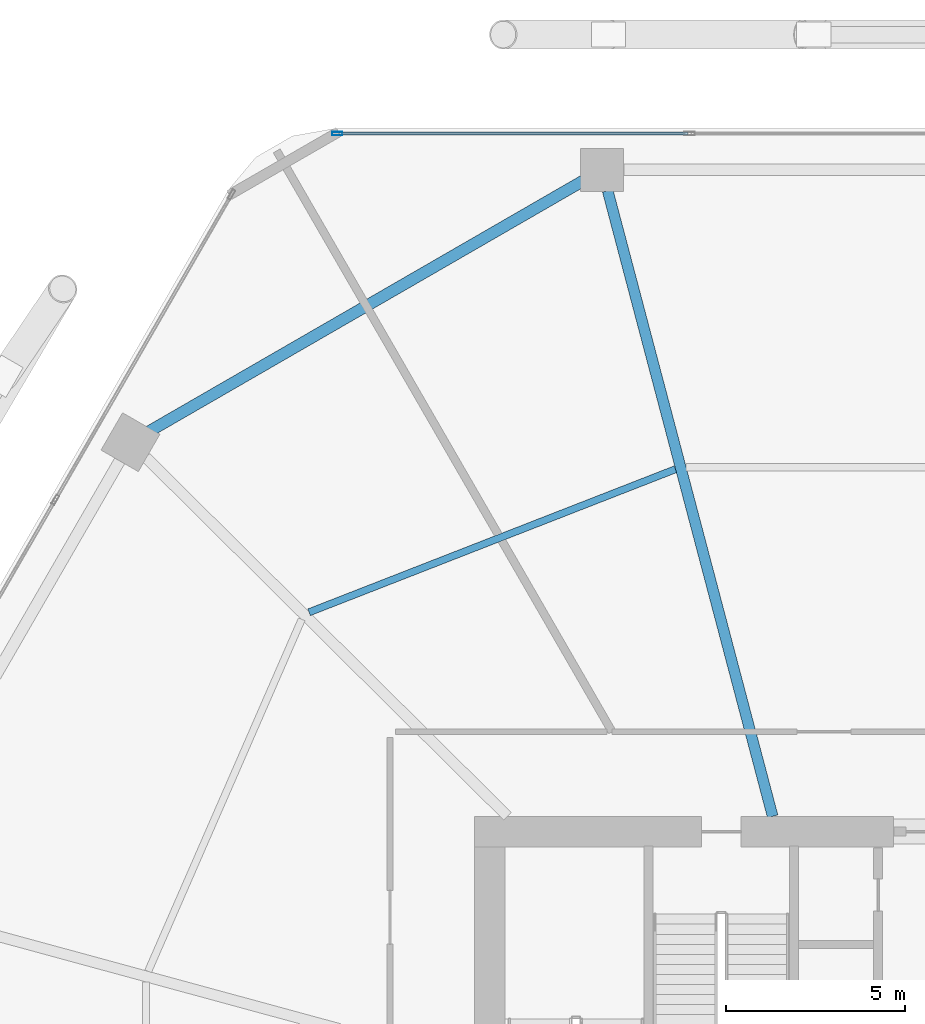
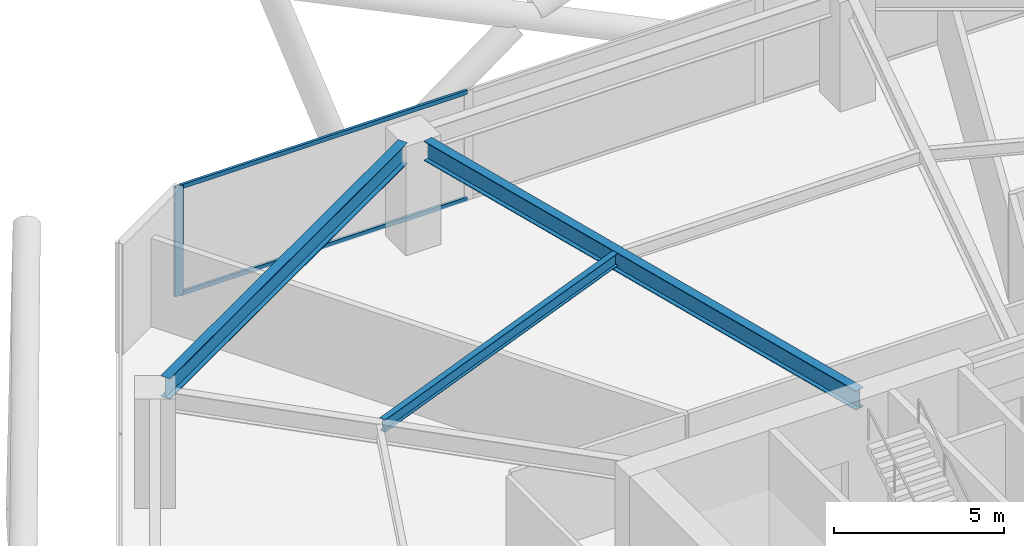
# One storey, part 16 of 28: 3 beams, 3 members, 1 element without a shape of its own.
"""IFC4 building model written with IfcOpenShell, lengths in metres."""

from ifc_helpers import new_model, si_unit, direction, frame, origin, origin_2d, place, context, subcontext, project, spatial, hollow_rectangle, i_section, extrude, material, material_profile, profile_set, type_object, element, aggregate, save


model = new_model("IFC4")

# Units and contexts
model_context = context("Model", 3, precision=1e-05, world=origin(), true_north=direction((0.0, 1.0)))
body_context = subcontext(model_context, "Body", "Model", "MODEL_VIEW")
ifc_project = project(units=[si_unit("LENGTHUNIT", "METRE"), si_unit("AREAUNIT", "SQUARE_METRE"), si_unit("VOLUMEUNIT", "CUBIC_METRE"), si_unit("PLANEANGLEUNIT", "RADIAN"), si_unit("MASSUNIT", "GRAM", prefix="KILO")], contexts=[model_context])

# Site, building, storey
site_placement = place(None, origin())
site = spatial("IfcSite", under=ifc_project, at=site_placement, CompositionType="ELEMENT")
building_placement = place(site_placement, origin())
building = spatial("IfcBuilding", under=site, at=building_placement, Name="Zuhravey Tower", CompositionType="ELEMENT")
storey_placement = place(building_placement, frame((0.0, 0.0, 66.60009765625)))
storey = spatial("IfcBuildingStorey", under=building, at=storey_placement, Name="L16", CompositionType="ELEMENT", Elevation=66.60009765625)

# Curtain wall, members
ifc_material_1 = material(Name="Thermally broken anodised aluminium", Category="aluminium")
curtain_wall_type = type_object("IfcCurtainWallType", Name="School Low-E Unitised Curtain Wall CW1", PredefinedType="NOTDEFINED", material=ifc_material_1)
curtain_wall_placement = place(storey_placement, origin())
curtain_wall = element("IfcCurtainWall", 1, at=curtain_wall_placement, inside=storey, type_object=curtain_wall_type, Name="L16 CW1 CW-L16-F2-1", PredefinedType="NOTDEFINED")
ifc_material_2 = material(Name="Anodised aluminium", Category="aluminium")
ifc_material_profile_1 = material_profile(ifc_material_2, hollow_rectangle(XDim=0.090087890625, YDim=0.284912109375, WallThickness=0.0048828125, at=origin_2d()), Name="ALU-RHS-90x285x5")
ifc_profile_set_1 = profile_set([ifc_material_profile_1], Name="Anodised aluminium")
member_type_1 = type_object("IfcMemberType", Name="Curtain-Wall Mullion 90x180", PredefinedType="MULLION", material=ifc_profile_set_1)
member_1_placement = place(storey_placement, frame((21.24560546875, 60.95849609375, 0.0), z_axis=(0.0, 0.0, 1.0), x_axis=(0.0, 1.0, 0.0)))
member_1 = element("IfcMember", 2, at=member_1_placement, type_object=member_type_1, Name="CW1 mullion 1", PredefinedType="MULLION", context=body_context, shape_type="SweptSolid", body=[
    extrude(hollow_rectangle(XDim=0.090087890625, YDim=0.284912109375, WallThickness=0.0048828125, at=origin_2d()), origin(), (0.0, 0.0, 1.0), 3.919921875),
])
ifc_material_profile_2 = material_profile(ifc_material_2, hollow_rectangle(XDim=0.090087890625, YDim=0.14990234375, WallThickness=0.0048828125, at=origin_2d()), Name="ALU-RHS-90x150x5")
ifc_profile_set_2 = profile_set([ifc_material_profile_2], Name="Anodised aluminium")
member_type_2 = type_object("IfcMemberType", Name="Curtain-Wall Transom 90x150", PredefinedType="USERDEFINED", material=ifc_profile_set_2)
member_2_placement = place(storey_placement, frame((21.29052734375, 60.95849609375, 0.044921875), z_axis=(1.0, 0.0, 0.0), x_axis=(0.0, 1.0, 0.0)))
member_2 = element("IfcMember", 3, at=member_2_placement, type_object=member_type_2, Name="CW1 transom 1.1", ObjectType="TRANSOM", PredefinedType="USERDEFINED", context=body_context, shape_type="SweptSolid", body=[
    extrude(hollow_rectangle(XDim=0.090087890625, YDim=0.14990234375, WallThickness=0.0048828125, at=origin_2d()), origin(), (0.0, 0.0, 1.0), 9.731201171875),
])
member_3_placement = place(storey_placement, frame((21.29052734375, 60.95849609375, 3.875), z_axis=(1.0, 0.0, 0.0), x_axis=(0.0, 1.0, 0.0)))
member_3 = element("IfcMember", 4, at=member_3_placement, type_object=member_type_2, Name="CW1 transom 1.2", ObjectType="TRANSOM", PredefinedType="USERDEFINED", context=body_context, shape_type="SweptSolid", body=[
    extrude(hollow_rectangle(XDim=0.090087890625, YDim=0.14990234375, WallThickness=0.0048828125, at=origin_2d()), origin(), (0.0, 0.0, 1.0), 9.731201171875),
])
aggregate(curtain_wall, [member_1, member_2, member_3])

# Beams
ifc_material_3 = material(Name="Steel SM355", Category="steel")
ifc_material_profile_3 = material_profile(ifc_material_3, i_section(OverallWidth=0.320068359375, OverallDepth=0.75, WebThickness=0.013916015625, FlangeThickness=0.02490234375, at=origin_2d()), Name="H-750x320x14x25")
ifc_profile_set_3 = profile_set([ifc_material_profile_3], Name="Steel SM355")
beam_type_1 = type_object("IfcBeamType", Name="Perimeter Ring Beam H750x320", PredefinedType="BEAM", material=ifc_profile_set_3)
beam_1_placement = place(storey_placement, frame((28.10791015625, 59.64697265625, 3.544921875), z_axis=(-0.866029969761, -0.499992091414, 0.0), x_axis=(0.499992091414, -0.866029969761, 0.0)))
element("IfcBeam", 5, at=beam_1_placement, inside=storey, type_object=beam_type_1, Name="L16 PB1 BM-L16-PB-04", PredefinedType="BEAM", context=body_context, shape_type="SweptSolid", body=[
    extrude(i_section(OverallWidth=0.320068359375, OverallDepth=0.75, WebThickness=0.013916015625, FlangeThickness=0.02490234375, at=origin_2d()), origin(), (0.0, 0.0, 1.0), 13.977294921875),
])
ifc_material_profile_4 = material_profile(ifc_material_3, i_section(OverallWidth=0.300048828125, OverallDepth=0.699951171875, WebThickness=0.012939453125, FlangeThickness=0.02392578125, at=origin_2d()), Name="H-700x300x13x24")
ifc_profile_set_4 = profile_set([ifc_material_profile_4], Name="Steel SM355")
beam_type_2 = type_object("IfcBeamType", Name="Radial Primary Girder H700x300", PredefinedType="BEAM", material=ifc_profile_set_4)
beam_2_placement = place(storey_placement, frame((33.382080078125, 41.927978515625, 3.56982421875), z_axis=(-0.254989720435, 0.966943763862, 0.0), x_axis=(-0.966943763862, -0.254989720435, 0.0)))
element("IfcBeam", 6, at=beam_2_placement, inside=storey, type_object=beam_type_2, Name="L16 RG1 BM-L16-RAD-04", PredefinedType="BEAM", context=body_context, shape_type="SweptSolid", body=[
    extrude(i_section(OverallWidth=0.300048828125, OverallDepth=0.699951171875, WebThickness=0.012939453125, FlangeThickness=0.02392578125, at=origin_2d()), origin(), (0.0, 0.0, 1.0), 18.03369140625),
])
ifc_material_profile_5 = material_profile(ifc_material_3, i_section(OverallWidth=0.199951171875, OverallDepth=0.449951171875, WebThickness=0.009033203125, FlangeThickness=0.013916015625, at=origin_2d()), Name="H-450x200x9x14")
ifc_profile_set_5 = profile_set([ifc_material_profile_5], Name="Steel SM355")
beam_type_3 = type_object("IfcBeamType", Name="Secondary Floor Joist H450x200", PredefinedType="JOIST", material=ifc_profile_set_5)
beam_3_placement = place(storey_placement, frame((30.67236328125, 51.60302734375, 3.69482421875), z_axis=(-0.931516535886, -0.363698973562, 0.0), x_axis=(0.363698973562, -0.931516535886, 0.0)))
element("IfcBeam", 7, at=beam_3_placement, inside=storey, type_object=beam_type_3, Name="L16 SJ1 BM-L16-SJ-04-1", PredefinedType="JOIST", context=body_context, shape_type="SweptSolid", body=[
    extrude(i_section(OverallWidth=0.199951171875, OverallDepth=0.449951171875, WebThickness=0.009033203125, FlangeThickness=0.013916015625, at=origin_2d()), origin(), (0.0, 0.0, 1.0), 10.963134765625),
])

save(model, "model.ifc")
